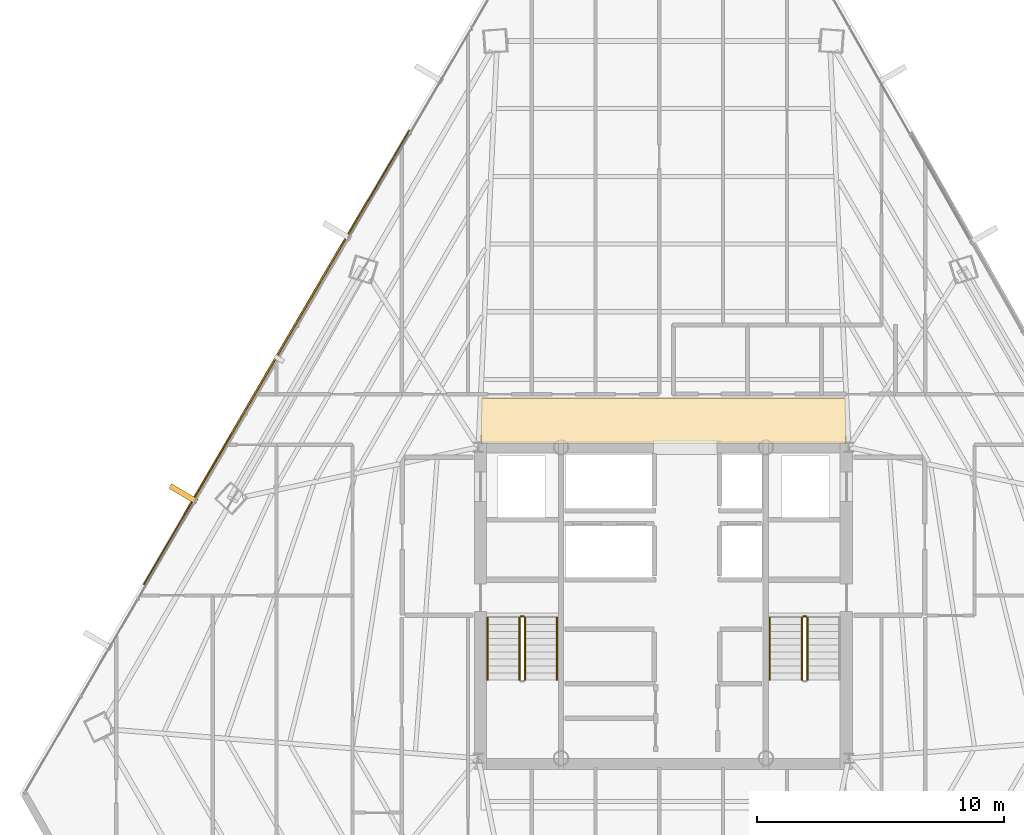
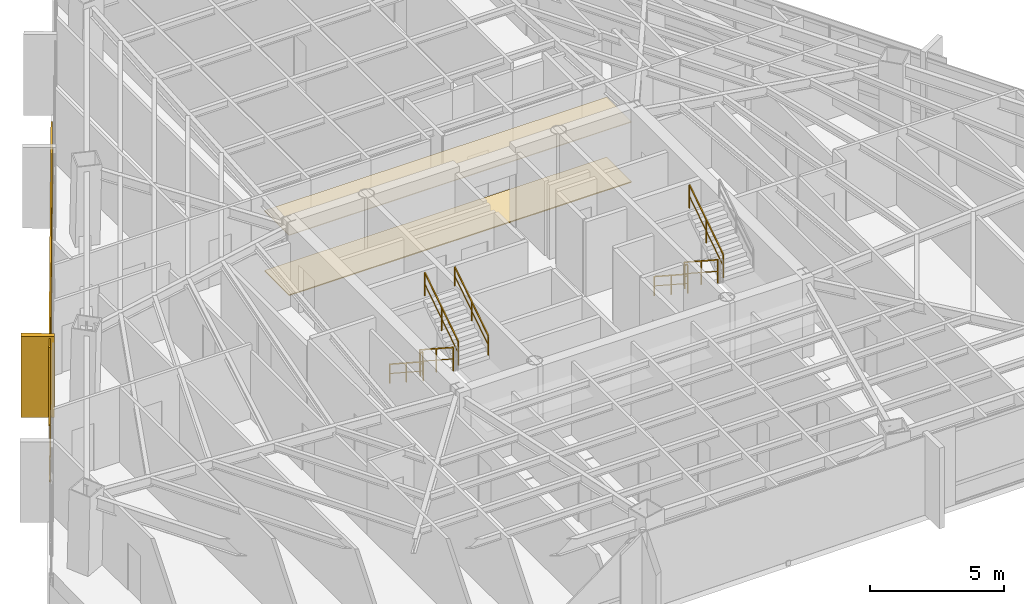
# One storey, part 41 of 42: 9 railings, 4 coverings, 1 shading device.
"""IFC4 building model written with IfcOpenShell, lengths in metres."""

from ifc_helpers import new_model, si_unit, direction, frame, origin, origin_2d, place, context, subcontext, project, spatial, polyline, rectangle, outline, extrude, source, transform, mapped, material, layer, layer_set, type_object, type_shapes, element, save


model = new_model("IFC4")

# Units and contexts
model_context = context("Model", 3, precision=1e-05, world=origin(), true_north=direction((0.0, 1.0)))
body_context = subcontext(model_context, "Body", "Model", "MODEL_VIEW")
ifc_project = project(units=[si_unit("LENGTHUNIT", "METRE"), si_unit("AREAUNIT", "SQUARE_METRE"), si_unit("VOLUMEUNIT", "CUBIC_METRE"), si_unit("PLANEANGLEUNIT", "RADIAN"), si_unit("MASSUNIT", "GRAM", prefix="KILO")], contexts=[model_context])

# Site, building, storey
site_placement = place(None, origin())
site = spatial("IfcSite", under=ifc_project, at=site_placement, CompositionType="ELEMENT")
building_placement = place(site_placement, origin())
building = spatial("IfcBuilding", under=site, at=building_placement, Name="Caelisora Broadcast Tower", CompositionType="ELEMENT")
storey_placement = place(building_placement, frame((0.0, 0.0, 131.800048828125)))
storey = spatial("IfcBuildingStorey", under=building, at=storey_placement, Name="L34", CompositionType="ELEMENT", Elevation=131.800048828125)

# Coverings
ifc_material_1 = material(Name="Perforated Mineral-Fibre Acoustic Ceiling Tile", Category="gypsum")
ifc_layer_1 = layer(ifc_material_1, 0.034912109375, Name="Perforated Mineral-Fibre Acoustic Ceiling Tile")
ifc_layer_set_1 = layer_set([ifc_layer_1], Name="Perforated Mineral-Fibre Acoustic Ceiling Tile")
covering_type_1 = type_object("IfcCoveringType", Name="CE-1", PredefinedType="CEILING", material=ifc_layer_set_1)
covering_1_placement = place(storey_placement, frame((0.0, 0.0, 2.75)))
element("IfcCovering", 1, at=covering_1_placement, inside=storey, type_object=covering_type_1, Name="L34 acoustic corridor ceiling CE-1 (N)", PredefinedType="CEILING", context=body_context, shape_type="SweptSolid", body=[
    extrude(outline(polyline([(30.60009765625, 30.14990234375), (45.39990234375, 30.14990234375), (45.39990234375, 32.0), (30.60009765625, 32.0), (30.60009765625, 30.14990234375)])), origin(), (0.0, 0.0, 1.0), 0.034912109375),
])
ifc_material_2 = material(Name="Anti-Static Broadcast Raised Access Floor Panel", Category="steel")
ifc_layer_2 = layer(ifc_material_2, 0.044921875, Name="Anti-Static Broadcast Raised Access Floor Panel")
ifc_layer_set_2 = layer_set([ifc_layer_2], Name="Anti-Static Broadcast Raised Access Floor Panel")
covering_type_2 = type_object("IfcCoveringType", Name="FL-1", PredefinedType="FLOORING", material=ifc_layer_set_2)
covering_2_placement = place(storey_placement, origin())
element("IfcCovering", 2, at=covering_2_placement, inside=storey, type_object=covering_type_2, Name="L34 broadcast raised access floor FL-1 (N)", PredefinedType="FLOORING", context=body_context, shape_type="SweptSolid", body=[
    extrude(outline(polyline([(30.60009765625, 30.14990234375), (45.39990234375, 30.14990234375), (45.39990234375, 32.0), (30.60009765625, 32.0), (30.60009765625, 30.14990234375)])), origin(), (0.0, 0.0, 1.0), 0.044921875),
])

# Railings
ifc_material_3 = material(Name="Galvanised Steel Safety Guardrail", Category="steel")
ifc_layer_3 = layer(ifc_material_3, 0.048095703125, Name="Galvanised Steel Safety Guardrail")
ifc_layer_set_3 = layer_set([ifc_layer_3], Name="Galvanised Steel Safety Guardrail")
railing_type_1 = type_object("IfcRailingType", Name="GR-1", PredefinedType="GUARDRAIL", material=ifc_layer_set_3)
railing_1_placement = place(storey_placement, frame((32.169921875, 23.10009765625, 0.182373046875)))
element("IfcRailing", 3, at=railing_1_placement, inside=storey, type_object=railing_type_1, Name="L34 ST-1 stair guard 1", PredefinedType="GUARDRAIL", context=body_context, shape_type="SweptSolid", body=[
    extrude(rectangle(XDim=0.048095703125, YDim=0.048095703125, at=origin_2d()), frame((0.0, 0.0, 1.076171875), z_axis=(0.0, -0.837749427056, 0.546054848405), x_axis=(1.0, 0.0, 0.0)), (0.0, 0.0, 1.0), 3.008056640625),
    extrude(rectangle(XDim=0.03125, YDim=0.03125, at=origin_2d()), frame((0.0, 0.0, 0.550048828125), z_axis=(0.0, -0.837749427056, 0.546054848405), x_axis=(1.0, 0.0, 0.0)), (0.0, 0.0, 1.0), 3.008056640625),
    extrude(rectangle(XDim=0.0419921875, YDim=0.0419921875, at=origin_2d()), origin(), (0.0, 0.0, 1.0), 1.052001953125),
    extrude(rectangle(XDim=0.0419921875, YDim=0.0419921875, at=origin_2d()), frame((0.0, -1.260009765625, 0.8212890625)), (0.0, 0.0, 1.0), 1.052001953125),
    extrude(rectangle(XDim=0.0419921875, YDim=0.0419921875, at=origin_2d()), frame((0.0, -2.52001953125, 1.642578125)), (0.0, 0.0, 1.0), 1.052001953125),
])
railing_2_placement = place(storey_placement, frame((32.389892578125, 20.580078125, 2.007568359375)))
element("IfcRailing", 4, at=railing_2_placement, inside=storey, type_object=railing_type_1, Name="L34 ST-1 stair guard 3", PredefinedType="GUARDRAIL", context=body_context, shape_type="SweptSolid", body=[
    extrude(rectangle(XDim=0.048095703125, YDim=0.048095703125, at=origin_2d()), frame((0.0, 0.0, 1.076171875), z_axis=(0.0, 0.837786554691, 0.545997883492), x_axis=(-1.0, 0.0, 0.0)), (0.0, 0.0, 1.0), 3.008056640625),
    extrude(rectangle(XDim=0.03125, YDim=0.03125, at=origin_2d()), frame((0.0, 0.0, 0.550048828125), z_axis=(0.0, 0.837786554691, 0.545997883492), x_axis=(-1.0, 0.0, 0.0)), (0.0, 0.0, 1.0), 3.008056640625),
    extrude(rectangle(XDim=0.0419921875, YDim=0.0419921875, at=origin_2d()), origin(), (0.0, 0.0, 1.0), 1.052001953125),
    extrude(rectangle(XDim=0.0419921875, YDim=0.0419921875, at=origin_2d()), frame((0.0, 1.260009765625, 0.8212890625)), (0.0, 0.0, 1.0), 1.052001953125),
    extrude(rectangle(XDim=0.0419921875, YDim=0.0419921875, at=origin_2d()), frame((0.0, 2.52001953125, 1.642333984375)), (0.0, 0.0, 1.0), 1.052001953125),
])
railing_3_placement = place(storey_placement, frame((32.219970703125, 23.14990234375, 0.0)))
element("IfcRailing", 5, at=railing_3_placement, inside=storey, type_object=railing_type_1, Name="L34 ST-1 stair guard 4", PredefinedType="GUARDRAIL", context=body_context, shape_type="SweptSolid", body=[
    extrude(rectangle(XDim=0.048095703125, YDim=0.048095703125, at=origin_2d()), frame((0.0, 0.0, 1.076171875), z_axis=(1.0, 0.0, 0.0), x_axis=(0.0, 1.0, 0.0)), (0.0, 0.0, 1.0), 0.1201171875),
    extrude(rectangle(XDim=0.03125, YDim=0.03125, at=origin_2d()), frame((0.0, 0.0, 0.550048828125), z_axis=(1.0, 0.0, 0.0), x_axis=(0.0, 1.0, 0.0)), (0.0, 0.0, 1.0), 0.1201171875),
    extrude(rectangle(XDim=0.0419921875, YDim=0.0419921875, at=origin_2d()), origin(), (0.0, 0.0, 1.0), 1.052001953125),
    extrude(rectangle(XDim=0.0419921875, YDim=0.0419921875, at=origin_2d()), frame((0.1201171875, 0.0, 0.0)), (0.0, 0.0, 1.0), 1.052001953125),
])
railing_4_placement = place(storey_placement, frame((43.610107421875, 23.10009765625, 0.182373046875)))
element("IfcRailing", 6, at=railing_4_placement, inside=storey, type_object=railing_type_1, Name="L34 ST-2 stair guard 1", PredefinedType="GUARDRAIL", context=body_context, shape_type="SweptSolid", body=[
    extrude(rectangle(XDim=0.048095703125, YDim=0.048095703125, at=origin_2d()), frame((0.0, 0.0, 1.076171875), z_axis=(0.0, -0.837749427056, 0.546054848405), x_axis=(1.0, 0.0, 0.0)), (0.0, 0.0, 1.0), 3.008056640625),
    extrude(rectangle(XDim=0.03125, YDim=0.03125, at=origin_2d()), frame((0.0, 0.0, 0.550048828125), z_axis=(0.0, -0.837749427056, 0.546054848405), x_axis=(1.0, 0.0, 0.0)), (0.0, 0.0, 1.0), 3.008056640625),
    extrude(rectangle(XDim=0.0419921875, YDim=0.0419921875, at=origin_2d()), origin(), (0.0, 0.0, 1.0), 1.052001953125),
    extrude(rectangle(XDim=0.0419921875, YDim=0.0419921875, at=origin_2d()), frame((0.0, -1.260009765625, 0.8212890625)), (0.0, 0.0, 1.0), 1.052001953125),
    extrude(rectangle(XDim=0.0419921875, YDim=0.0419921875, at=origin_2d()), frame((0.0, -2.52001953125, 1.642578125)), (0.0, 0.0, 1.0), 1.052001953125),
])
railing_5_placement = place(storey_placement, frame((43.830078125, 20.580078125, 2.007568359375)))
element("IfcRailing", 7, at=railing_5_placement, inside=storey, type_object=railing_type_1, Name="L34 ST-2 stair guard 3", PredefinedType="GUARDRAIL", context=body_context, shape_type="SweptSolid", body=[
    extrude(rectangle(XDim=0.048095703125, YDim=0.048095703125, at=origin_2d()), frame((0.0, 0.0, 1.076171875), z_axis=(0.0, 0.837786554691, 0.545997883492), x_axis=(-1.0, 0.0, 0.0)), (0.0, 0.0, 1.0), 3.008056640625),
    extrude(rectangle(XDim=0.03125, YDim=0.03125, at=origin_2d()), frame((0.0, 0.0, 0.550048828125), z_axis=(0.0, 0.837786554691, 0.545997883492), x_axis=(-1.0, 0.0, 0.0)), (0.0, 0.0, 1.0), 3.008056640625),
    extrude(rectangle(XDim=0.0419921875, YDim=0.0419921875, at=origin_2d()), origin(), (0.0, 0.0, 1.0), 1.052001953125),
    extrude(rectangle(XDim=0.0419921875, YDim=0.0419921875, at=origin_2d()), frame((0.0, 1.260009765625, 0.8212890625)), (0.0, 0.0, 1.0), 1.052001953125),
    extrude(rectangle(XDim=0.0419921875, YDim=0.0419921875, at=origin_2d()), frame((0.0, 2.52001953125, 1.642333984375)), (0.0, 0.0, 1.0), 1.052001953125),
])
railing_6_placement = place(storey_placement, frame((43.659912109375, 23.14990234375, 0.0)))
element("IfcRailing", 8, at=railing_6_placement, inside=storey, type_object=railing_type_1, Name="L34 ST-2 stair guard 4", PredefinedType="GUARDRAIL", context=body_context, shape_type="SweptSolid", body=[
    extrude(rectangle(XDim=0.048095703125, YDim=0.048095703125, at=origin_2d()), frame((0.0, 0.0, 1.076171875), z_axis=(1.0, 0.0, 0.0), x_axis=(0.0, 1.0, 0.0)), (0.0, 0.0, 1.0), 0.1201171875),
    extrude(rectangle(XDim=0.03125, YDim=0.03125, at=origin_2d()), frame((0.0, 0.0, 0.550048828125), z_axis=(1.0, 0.0, 0.0), x_axis=(0.0, 1.0, 0.0)), (0.0, 0.0, 1.0), 0.1201171875),
    extrude(rectangle(XDim=0.0419921875, YDim=0.0419921875, at=origin_2d()), origin(), (0.0, 0.0, 1.0), 1.052001953125),
    extrude(rectangle(XDim=0.0419921875, YDim=0.0419921875, at=origin_2d()), frame((0.1201171875, 0.0, 0.0)), (0.0, 0.0, 1.0), 1.052001953125),
])
ifc_material_4 = material(Name="Stainless Steel Grade 316 Tubular Handrail", Category="steel")
ifc_layer_4 = layer(ifc_material_4, 0.048095703125, Name="Stainless Steel Grade 316 Tubular Handrail")
ifc_layer_set_4 = layer_set([ifc_layer_4], Name="Stainless Steel Grade 316 Tubular Handrail")
railing_type_2 = type_object("IfcRailingType", Name="HR-1", PredefinedType="HANDRAIL", material=ifc_layer_set_4)
railing_7_placement = place(storey_placement, frame((30.8701171875, 23.10009765625, 0.182373046875)))
element("IfcRailing", 9, at=railing_7_placement, inside=storey, type_object=railing_type_2, Name="L34 ST-1 stair handrail 1", PredefinedType="HANDRAIL", context=body_context, shape_type="SweptSolid", body=[
    extrude(rectangle(XDim=0.048095703125, YDim=0.048095703125, at=origin_2d()), frame((0.0, 0.0, 0.8759765625), z_axis=(0.0, -0.837749427056, 0.546054848405), x_axis=(1.0, 0.0, 0.0)), (0.0, 0.0, 1.0), 3.008056640625),
    extrude(rectangle(XDim=0.03125, YDim=0.03125, at=origin_2d()), frame((0.0, 0.0, 0.449951171875), z_axis=(0.0, -0.837749427056, 0.546054848405), x_axis=(1.0, 0.0, 0.0)), (0.0, 0.0, 1.0), 3.008056640625),
    extrude(rectangle(XDim=0.0419921875, YDim=0.0419921875, at=origin_2d()), origin(), (0.0, 0.0, 1.0), 0.851806640625),
    extrude(rectangle(XDim=0.0419921875, YDim=0.0419921875, at=origin_2d()), frame((0.0, -1.260009765625, 0.8212890625)), (0.0, 0.0, 1.0), 0.851806640625),
    extrude(rectangle(XDim=0.0419921875, YDim=0.0419921875, at=origin_2d()), frame((0.0, -2.52001953125, 1.642578125)), (0.0, 0.0, 1.0), 0.851806640625),
])
railing_8_placement = place(storey_placement, frame((33.68994140625, 20.580078125, 2.007568359375)))
element("IfcRailing", 10, at=railing_8_placement, inside=storey, type_object=railing_type_2, Name="L34 ST-1 stair handrail 2", PredefinedType="HANDRAIL", context=body_context, shape_type="SweptSolid", body=[
    extrude(rectangle(XDim=0.048095703125, YDim=0.048095703125, at=origin_2d()), frame((0.0, 0.0, 0.8759765625), z_axis=(0.0, 0.837786554691, 0.545997883492), x_axis=(-1.0, 0.0, 0.0)), (0.0, 0.0, 1.0), 3.008056640625),
    extrude(rectangle(XDim=0.03125, YDim=0.03125, at=origin_2d()), frame((0.0, 0.0, 0.449951171875), z_axis=(0.0, 0.837786554691, 0.545997883492), x_axis=(-1.0, 0.0, 0.0)), (0.0, 0.0, 1.0), 3.008056640625),
    extrude(rectangle(XDim=0.0419921875, YDim=0.0419921875, at=origin_2d()), origin(), (0.0, 0.0, 1.0), 0.851806640625),
    extrude(rectangle(XDim=0.0419921875, YDim=0.0419921875, at=origin_2d()), frame((0.0, 1.260009765625, 0.8212890625)), (0.0, 0.0, 1.0), 0.851806640625),
    extrude(rectangle(XDim=0.0419921875, YDim=0.0419921875, at=origin_2d()), frame((0.0, 2.52001953125, 1.642333984375)), (0.0, 0.0, 1.0), 0.851806640625),
])
railing_9_placement = place(storey_placement, frame((42.31005859375, 23.10009765625, 0.182373046875)))
element("IfcRailing", 11, at=railing_9_placement, inside=storey, type_object=railing_type_2, Name="L34 ST-2 stair handrail 1", PredefinedType="HANDRAIL", context=body_context, shape_type="SweptSolid", body=[
    extrude(rectangle(XDim=0.048095703125, YDim=0.048095703125, at=origin_2d()), frame((0.0, 0.0, 0.8759765625), z_axis=(0.0, -0.837749427056, 0.546054848405), x_axis=(1.0, 0.0, 0.0)), (0.0, 0.0, 1.0), 3.008056640625),
    extrude(rectangle(XDim=0.03125, YDim=0.03125, at=origin_2d()), frame((0.0, 0.0, 0.449951171875), z_axis=(0.0, -0.837749427056, 0.546054848405), x_axis=(1.0, 0.0, 0.0)), (0.0, 0.0, 1.0), 3.008056640625),
    extrude(rectangle(XDim=0.0419921875, YDim=0.0419921875, at=origin_2d()), origin(), (0.0, 0.0, 1.0), 0.851806640625),
    extrude(rectangle(XDim=0.0419921875, YDim=0.0419921875, at=origin_2d()), frame((0.0, -1.260009765625, 0.8212890625)), (0.0, 0.0, 1.0), 0.851806640625),
    extrude(rectangle(XDim=0.0419921875, YDim=0.0419921875, at=origin_2d()), frame((0.0, -2.52001953125, 1.642578125)), (0.0, 0.0, 1.0), 0.851806640625),
])

# Covering
ifc_material_5 = material(Name="Kiln-Fired Terracotta Spandrel Rainscreen Cladding", Category="ceramic")
ifc_layer_5 = layer(ifc_material_5, 0.044921875, Name="Kiln-Fired Terracotta Spandrel Rainscreen Cladding")
ifc_layer_set_5 = layer_set([ifc_layer_5], Name="Kiln-Fired Terracotta Spandrel Rainscreen Cladding")
covering_type_3 = type_object("IfcCoveringType", Name="CL-1", PredefinedType="CLADDING", material=ifc_layer_set_5)
shared_shape_1 = source(origin(), body_context, "Body", "SweptSolid", [
    extrude(rectangle(XDim=0.219970703125, YDim=1.25, at=origin_2d()), origin(), (0.0, 0.0, 1.0), 3.68994140625),
])
covering_3_placement = place(storey_placement, frame((18.553955078125, 28.113037109375, -0.02001953125), z_axis=(0.0, 0.0, 1.0), x_axis=(0.504527623815, 0.863395550607, 0.0)))
element("IfcCovering", 12, at=covering_3_placement, inside=storey, type_object=covering_type_3, Name="L34 vertical solar fin cladding #3-2", PredefinedType="CLADDING", context=body_context, shape_type="MappedRepresentation", body=[
    mapped(shared_shape_1, transform((0.0, 0.0, 0.0), scale=1.0)),
])

# Shading device
ifc_material_6 = material(Name="Perforated Glazed Terracotta Baguette Solar Screen", Category="ceramic")
ifc_layer_6 = layer(ifc_material_6, 0.06494140625, Name="Perforated Glazed Terracotta Baguette Solar Screen")
ifc_layer_set_6 = layer_set([ifc_layer_6], Name="Perforated Glazed Terracotta Baguette Solar Screen")
shading_device_type = type_object("IfcShadingDeviceType", Name="SS-1", PredefinedType="USERDEFINED", material=ifc_layer_set_6)
shared_shape_2 = source(origin(), body_context, "Body", "SweptSolid", [
    extrude(rectangle(XDim=14.75390625, YDim=0.06494140625, at=origin_2d()), origin(), (0.0, 0.0, 1.0), 3.590087890625),
])
type_shapes(shading_device_type, [shared_shape_2])
shading_device_placement = place(storey_placement, frame((22.30859375, 33.646240234375, 0.0), z_axis=(0.0, 0.0, 1.0), x_axis=(-0.504527623815, -0.863395550607, 0.0)))
element("IfcShadingDevice", 13, at=shading_device_placement, inside=storey, type_object=shading_device_type, Name="L34 perforated terracotta solar screen #1", ObjectType="SOLAR SCREEN", PredefinedType="USERDEFINED", context=body_context, shape_type="MappedRepresentation", body=[
    mapped(shared_shape_2, transform((0.0, 0.0, 0.0), scale=1.0)),
])

# Covering
shared_shape_3 = source(origin(), body_context, "Body", "SweptSolid", [
    extrude(rectangle(XDim=21.31201171875, YDim=0.044921875, at=origin_2d()), origin(), (0.0, 0.0, 1.0), 0.340087890625),
])
type_shapes(covering_type_3, [shared_shape_1, shared_shape_3])
covering_4_placement = place(storey_placement, frame((22.32568359375, 33.63623046875, -0.27001953125), z_axis=(0.0, 0.0, 1.0), x_axis=(-0.504527623815, -0.863395550607, 0.0)))
element("IfcCovering", 14, at=covering_4_placement, inside=storey, type_object=covering_type_3, Name="L34 terracotta spandrel rainscreen #1", PredefinedType="CLADDING", context=body_context, shape_type="MappedRepresentation", body=[
    mapped(shared_shape_3, transform((0.0, 0.0, 0.0), scale=1.0)),
])

save(model, "model.ifc")
